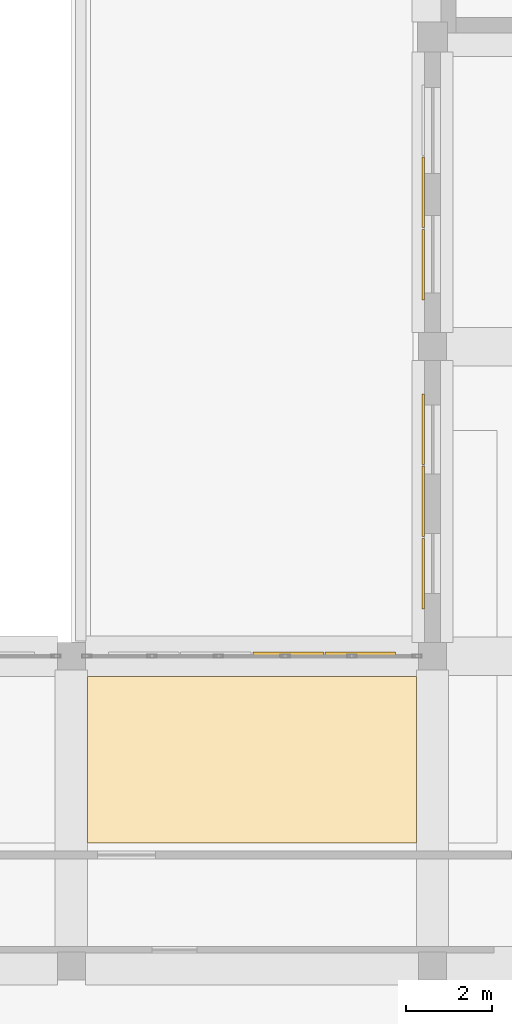
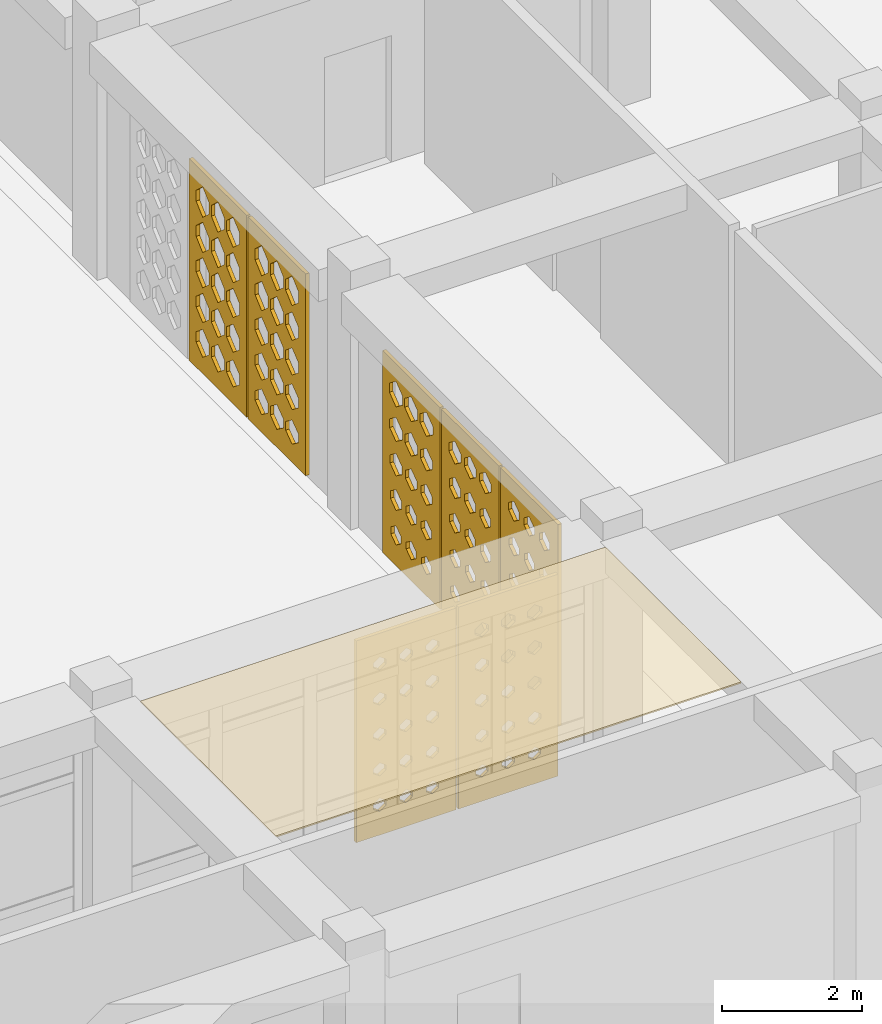
# One storey, part 61 of 79: 8 coverings.
"""IFC4 building model written with IfcOpenShell, lengths in metres."""

from ifc_helpers import new_model, si_unit, derived_unit, direction, frame, origin, place, context, subcontext, project, spatial, polyline, outline, extrude, material, layer, layer_set, type_object, element, save


model = new_model("IFC4")

# Units and contexts
model_context = context("Model", 3, precision=1e-05, world=origin(), true_north=direction((0.0, 1.0)))
body_context = subcontext(model_context, "Body", "Model", "MODEL_VIEW")
ifc_project = project(units=[si_unit("LENGTHUNIT", "METRE"), si_unit("AREAUNIT", "SQUARE_METRE"), si_unit("VOLUMEUNIT", "CUBIC_METRE"), si_unit("PLANEANGLEUNIT", "RADIAN"), si_unit("MASSUNIT", "GRAM", prefix="KILO"), derived_unit("THERMALTRANSMITTANCEUNIT", [(si_unit("POWERUNIT", "WATT"), 1), (si_unit("LENGTHUNIT", "METRE"), -2), (si_unit("THERMODYNAMICTEMPERATUREUNIT", "KELVIN"), -1)])], contexts=[model_context])

# Site, building, storey
site_placement = place(None, origin())
site = spatial("IfcSite", under=ifc_project, at=site_placement, CompositionType="ELEMENT")
building_placement = place(site_placement, origin())
building = spatial("IfcBuilding", under=site, at=building_placement, Name="Veybourne Emporium", CompositionType="ELEMENT")
storey_placement = place(building_placement, frame((0.0, 0.0, 18.89990234375)))
storey = spatial("IfcBuildingStorey", under=building, at=storey_placement, Name="L04", CompositionType="ELEMENT", Elevation=18.89990234375)

# Coverings
ifc_material_1 = material(Name="Mineral Acoustic Ceiling", Category="gypsum")
ifc_layer_1 = layer(ifc_material_1, 0.02490234375)
ifc_layer_set_1 = layer_set([ifc_layer_1], Name="Mineral Acoustic Ceiling")
covering_type_1 = type_object("IfcCoveringType", Name="Ceiling_CLG-01", PredefinedType="CEILING", material=ifc_layer_set_1)
covering_1_placement = place(storey_placement, frame((0.0, 0.0, 4.155029296875)))
element("IfcCovering", 1, at=covering_1_placement, inside=storey, type_object=covering_type_1, Name="L04 coffered acoustic ceiling 05", PredefinedType="CEILING", context=body_context, shape_type="SweptSolid", body=[
    extrude(outline(polyline([(8.77294921875, 46.06005859375), (8.77294921875, 49.927001953125), (16.427001953125, 49.927001953125), (16.427001953125, 46.06005859375), (8.77294921875, 46.06005859375)])), origin(), (0.0, 0.0, 1.0), 0.025146484375),
])
ifc_material_2 = material(Name="Warm-White Perforated Aluminium Screen Alloy", Category="aluminium")
ifc_layer_2 = layer(ifc_material_2, 0.06005859375)
ifc_layer_set_2 = layer_set([ifc_layer_2], Name="Warm-White Perforated Aluminium Screen Alloy")
covering_type_2 = type_object("IfcCoveringType", Name="WaveScreen_SCR-01", PredefinedType="CLADDING", material=ifc_layer_set_2)
covering_2_placement = place(storey_placement, frame((13.43994140625, 50.494140625, 1.815185546875), z_axis=(0.0, -1.0, 0.0), x_axis=(1.0, 0.0, 0.0)))
element("IfcCovering", 2, at=covering_2_placement, inside=storey, type_object=covering_type_2, Name="L04 wave-perforated aluminium screen SCR-01 (9C.3)", PredefinedType="CLADDING", context=body_context, shape_type="SweptSolid", body=[
    extrude(outline(polyline([(-0.81982421875, -1.7548828125), (0.81982421875, -1.7548828125), (0.81982421875, 1.7548828125), (-0.81982421875, 1.7548828125), (-0.81982421875, -1.7548828125)]), holes=[polyline([(-0.433349609375, -1.111572265625), (-0.328125, -1.18603515625), (-0.328125, -1.27001953125), (-0.433349609375, -1.344482421875), (-0.53857421875, -1.27001953125), (-0.53857421875, -1.18603515625), (-0.433349609375, -1.111572265625)]), polyline([(-0.433349609375, -0.501953125), (-0.33154296875, -0.573486328125), (-0.33154296875, -0.654296875), (-0.433349609375, -0.72607421875), (-0.534912109375, -0.654296875), (-0.534912109375, -0.573486328125), (-0.433349609375, -0.501953125)]), polyline([(-0.433349609375, 0.110107421875), (-0.333251953125, 0.03955078125), (-0.333251953125, -0.03955078125), (-0.433349609375, -0.110107421875), (-0.533447265625, -0.03955078125), (-0.533447265625, 0.03955078125), (-0.433349609375, 0.110107421875)]), polyline([(-0.433349609375, 0.724609375), (-0.3330078125, 0.65380859375), (-0.3330078125, 0.57421875), (-0.433349609375, 0.50341796875), (-0.53369140625, 0.57421875), (-0.53369140625, 0.65380859375), (-0.433349609375, 0.724609375)]), polyline([(-0.433349609375, 1.34130859375), (-0.33056640625, 1.268798828125), (-0.33056640625, 1.187255859375), (-0.433349609375, 1.114501953125), (-0.5361328125, 1.187255859375), (-0.5361328125, 1.268798828125), (-0.433349609375, 1.34130859375)]), polyline([(0.0, -1.11376953125), (0.103515625, -1.18701171875), (0.103515625, -1.26904296875), (0.0, -1.34228515625), (-0.103515625, -1.26904296875), (-0.103515625, -1.18701171875), (0.0, -1.11376953125)]), polyline([(0.0, -0.503173828125), (0.1005859375, -0.57421875), (0.1005859375, -0.65380859375), (0.0, -0.724853515625), (-0.1005859375, -0.65380859375), (-0.1005859375, -0.57421875), (0.0, -0.503173828125)]), polyline([(0.0, 0.110107421875), (0.10009765625, 0.03955078125), (0.10009765625, -0.03955078125), (0.0, -0.110107421875), (-0.10009765625, -0.03955078125), (-0.10009765625, 0.03955078125), (0.0, 0.110107421875)]), polyline([(0.0, 0.7255859375), (0.101318359375, 0.654296875), (0.101318359375, 0.57373046875), (0.0, 0.50244140625), (-0.101318359375, 0.57373046875), (-0.101318359375, 0.654296875), (0.0, 0.7255859375)]), polyline([(0.0, 1.343505859375), (0.1044921875, 1.26953125), (0.1044921875, 1.186279296875), (0.0, 1.112548828125), (-0.1044921875, 1.186279296875), (-0.1044921875, 1.26953125), (0.0, 1.343505859375)]), polyline([(0.433349609375, -1.115478515625), (0.535400390625, -1.1875), (0.535400390625, -1.2685546875), (0.433349609375, -1.34033203125), (0.331298828125, -1.2685546875), (0.331298828125, -1.1875), (0.433349609375, -1.115478515625)]), polyline([(0.433349609375, -0.50390625), (0.533447265625, -0.57421875), (0.533447265625, -0.65380859375), (0.433349609375, -0.72412109375), (0.333251953125, -0.65380859375), (0.333251953125, -0.57421875), (0.433349609375, -0.50390625)]), polyline([(0.433349609375, 0.1103515625), (0.53369140625, 0.039794921875), (0.53369140625, -0.039794921875), (0.433349609375, -0.1103515625), (0.3330078125, -0.039794921875), (0.3330078125, 0.039794921875), (0.433349609375, 0.1103515625)]), polyline([(0.433349609375, 0.72705078125), (0.535888671875, 0.65478515625), (0.535888671875, 0.5732421875), (0.433349609375, 0.5009765625), (0.330810546875, 0.5732421875), (0.330810546875, 0.65478515625), (0.433349609375, 0.72705078125)]), polyline([(0.433349609375, 1.34619140625), (0.539794921875, 1.2705078125), (0.539794921875, 1.185546875), (0.433349609375, 1.10986328125), (0.32666015625, 1.185546875), (0.32666015625, 1.2705078125), (0.433349609375, 1.34619140625)])]), origin(), (0.0, 0.0, 1.0), 0.06005859375),
])
covering_3_placement = place(storey_placement, frame((16.552001953125, 55.679931640625, 1.815185546875), z_axis=(1.0, 0.0, 0.0), x_axis=(0.0, 1.0, 0.0)))
element("IfcCovering", 3, at=covering_3_placement, inside=storey, type_object=covering_type_2, Name="L04 wave-perforated aluminium screen SCR-01 (13.3)", PredefinedType="CLADDING", context=body_context, shape_type="SweptSolid", body=[
    extrude(outline(polyline([(-0.81982421875, -1.7548828125), (0.81982421875, -1.7548828125), (0.81982421875, 1.7548828125), (-0.81982421875, 1.7548828125), (-0.81982421875, -1.7548828125)]), holes=[polyline([(-0.433349609375, -1.072509765625), (-0.2958984375, -1.172119140625), (-0.2958984375, -1.283935546875), (-0.433349609375, -1.383544921875), (-0.570556640625, -1.283935546875), (-0.570556640625, -1.172119140625), (-0.433349609375, -1.072509765625)]), polyline([(-0.433349609375, -0.4453125), (-0.285400390625, -0.55322265625), (-0.285400390625, -0.6748046875), (-0.433349609375, -0.78271484375), (-0.581298828125, -0.6748046875), (-0.581298828125, -0.55322265625), (-0.433349609375, -0.4453125)]), polyline([(-0.433349609375, 0.1826171875), (-0.27392578125, 0.065673828125), (-0.27392578125, -0.065673828125), (-0.433349609375, -0.1826171875), (-0.5927734375, -0.065673828125), (-0.5927734375, 0.065673828125), (-0.433349609375, 0.1826171875)]), polyline([(-0.433349609375, 0.810791015625), (-0.26220703125, 0.684814453125), (-0.26220703125, 0.543212890625), (-0.433349609375, 0.417236328125), (-0.604248046875, 0.543212890625), (-0.604248046875, 0.684814453125), (-0.433349609375, 0.810791015625)]), polyline([(-0.433349609375, 1.438720703125), (-0.2509765625, 1.303955078125), (-0.2509765625, 1.152099609375), (-0.433349609375, 1.01708984375), (-0.61572265625, 1.152099609375), (-0.61572265625, 1.303955078125), (-0.433349609375, 1.438720703125)]), polyline([(0.0, -1.066650390625), (0.14208984375, -1.169921875), (0.14208984375, -1.2861328125), (0.0, -1.389404296875), (-0.14208984375, -1.2861328125), (-0.14208984375, -1.169921875), (0.0, -1.066650390625)]), polyline([(0.0, -0.43896484375), (0.1533203125, -0.551025390625), (0.1533203125, -0.677001953125), (0.0, -0.7890625), (-0.1533203125, -0.677001953125), (-0.1533203125, -0.551025390625), (0.0, -0.43896484375)]), polyline([(0.0, 0.18896484375), (0.164794921875, 0.068115234375), (0.164794921875, -0.068115234375), (0.0, -0.18896484375), (-0.164794921875, -0.068115234375), (-0.164794921875, 0.068115234375), (0.0, 0.18896484375)]), polyline([(0.0, 0.817138671875), (0.17626953125, 0.68701171875), (0.17626953125, 0.541015625), (0.0, 0.410888671875), (-0.17626953125, 0.541015625), (-0.17626953125, 0.68701171875), (0.0, 0.817138671875)]), polyline([(0.0, 1.445068359375), (0.186279296875, 1.30615234375), (0.186279296875, 1.14990234375), (0.0, 1.010986328125), (-0.186279296875, 1.14990234375), (-0.186279296875, 1.30615234375), (0.0, 1.445068359375)]), polyline([(0.433349609375, -1.060546875), (0.580322265625, -1.167724609375), (0.580322265625, -1.288330078125), (0.433349609375, -1.3955078125), (0.286376953125, -1.288330078125), (0.286376953125, -1.167724609375), (0.433349609375, -1.060546875)]), polyline([(0.433349609375, -0.4326171875), (0.591796875, -0.548583984375), (0.591796875, -0.67919921875), (0.433349609375, -0.79541015625), (0.27490234375, -0.67919921875), (0.27490234375, -0.548583984375), (0.433349609375, -0.4326171875)]), polyline([(0.433349609375, 0.195556640625), (0.603271484375, 0.0703125), (0.603271484375, -0.0703125), (0.433349609375, -0.195556640625), (0.263427734375, -0.0703125), (0.263427734375, 0.0703125), (0.433349609375, 0.195556640625)]), polyline([(0.433349609375, 0.823486328125), (0.61474609375, 0.689453125), (0.61474609375, 0.53857421875), (0.433349609375, 0.404541015625), (0.251953125, 0.53857421875), (0.251953125, 0.689453125), (0.433349609375, 0.823486328125)]), polyline([(0.433349609375, 1.451171875), (0.61962890625, 1.308349609375), (0.61962890625, 1.147705078125), (0.433349609375, 1.0048828125), (0.2470703125, 1.147705078125), (0.2470703125, 1.308349609375), (0.433349609375, 1.451171875)])]), origin(), (0.0, 0.0, 1.0), 0.06005859375),
])
covering_4_placement = place(storey_placement, frame((16.552001953125, 61.1875, 1.815185546875), z_axis=(1.0, 0.0, 0.0), x_axis=(0.0, 1.0, 0.0)))
element("IfcCovering", 4, at=covering_4_placement, inside=storey, type_object=covering_type_2, Name="L04 wave-perforated aluminium screen SCR-01 (14.2)", PredefinedType="CLADDING", context=body_context, shape_type="SweptSolid", body=[
    extrude(outline(polyline([(-0.81982421875, -1.7548828125), (0.81982421875, -1.7548828125), (0.81982421875, 1.7548828125), (-0.81982421875, 1.7548828125), (-0.81982421875, -1.7548828125)]), holes=[polyline([(-0.433349609375, -0.993896484375), (-0.2470703125, -1.143798828125), (-0.2470703125, -1.312255859375), (-0.433349609375, -1.4619140625), (-0.61962890625, -1.312255859375), (-0.61962890625, -1.143798828125), (-0.433349609375, -0.993896484375)]), polyline([(-0.433349609375, -0.368408203125), (-0.2470703125, -0.525634765625), (-0.2470703125, -0.702392578125), (-0.433349609375, -0.859619140625), (-0.61962890625, -0.702392578125), (-0.61962890625, -0.525634765625), (-0.433349609375, -0.368408203125)]), polyline([(-0.433349609375, 0.255615234375), (-0.2470703125, 0.092041015625), (-0.2470703125, -0.092041015625), (-0.433349609375, -0.255615234375), (-0.61962890625, -0.092041015625), (-0.61962890625, 0.092041015625), (-0.433349609375, 0.255615234375)]), polyline([(-0.433349609375, 0.877685546875), (-0.2470703125, 0.708984375), (-0.2470703125, 0.51904296875), (-0.433349609375, 0.35009765625), (-0.61962890625, 0.51904296875), (-0.61962890625, 0.708984375), (-0.433349609375, 0.877685546875)]), polyline([(-0.433349609375, 1.491943359375), (-0.2470703125, 1.322998046875), (-0.2470703125, 1.133056640625), (-0.433349609375, 0.964111328125), (-0.61962890625, 1.133056640625), (-0.61962890625, 1.322998046875), (-0.433349609375, 1.491943359375)]), polyline([(0.0, -0.988525390625), (0.186279296875, -1.141845703125), (0.186279296875, -1.314208984375), (0.0, -1.46728515625), (-0.186279296875, -1.314208984375), (-0.186279296875, -1.141845703125), (0.0, -0.988525390625)]), polyline([(0.0, -0.363525390625), (0.186279296875, -0.52392578125), (0.186279296875, -0.7041015625), (0.0, -0.864501953125), (-0.186279296875, -0.7041015625), (-0.186279296875, -0.52392578125), (0.0, -0.363525390625)]), polyline([(0.0, 0.259521484375), (0.186279296875, 0.093505859375), (0.186279296875, -0.093505859375), (0.0, -0.259521484375), (-0.186279296875, -0.093505859375), (-0.186279296875, 0.093505859375), (0.0, 0.259521484375)]), polyline([(0.0, 0.8779296875), (0.186279296875, 0.708984375), (0.186279296875, 0.51904296875), (0.0, 0.35009765625), (-0.186279296875, 0.51904296875), (-0.186279296875, 0.708984375), (0.0, 0.8779296875)]), polyline([(0.0, 1.491943359375), (0.186279296875, 1.322998046875), (0.186279296875, 1.133056640625), (0.0, 0.964111328125), (-0.186279296875, 1.133056640625), (-0.186279296875, 1.322998046875), (0.0, 1.491943359375)]), polyline([(0.433349609375, -0.9833984375), (0.61962890625, -1.139892578125), (0.61962890625, -1.316162109375), (0.433349609375, -1.47265625), (0.2470703125, -1.316162109375), (0.2470703125, -1.139892578125), (0.433349609375, -0.9833984375)]), polyline([(0.433349609375, -0.359130859375), (0.61962890625, -0.522216796875), (0.61962890625, -0.705810546875), (0.433349609375, -0.868896484375), (0.2470703125, -0.705810546875), (0.2470703125, -0.522216796875), (0.433349609375, -0.359130859375)]), polyline([(0.433349609375, 0.26318359375), (0.61962890625, 0.0947265625), (0.61962890625, -0.0947265625), (0.433349609375, -0.26318359375), (0.2470703125, -0.0947265625), (0.2470703125, 0.0947265625), (0.433349609375, 0.26318359375)]), polyline([(0.433349609375, 0.8779296875), (0.61962890625, 0.708984375), (0.61962890625, 0.51904296875), (0.433349609375, 0.35009765625), (0.2470703125, 0.51904296875), (0.2470703125, 0.708984375), (0.433349609375, 0.8779296875)]), polyline([(0.433349609375, 1.491943359375), (0.61962890625, 1.322998046875), (0.61962890625, 1.133056640625), (0.433349609375, 0.964111328125), (0.2470703125, 1.133056640625), (0.2470703125, 1.322998046875), (0.433349609375, 1.491943359375)])]), origin(), (0.0, 0.0, 1.0), 0.06005859375),
])
ifc_layer_3 = layer(ifc_material_2, 0.06005859375)
ifc_layer_set_3 = layer_set([ifc_layer_3], Name="Warm-White Perforated Aluminium Screen Alloy")
covering_type_3 = type_object("IfcCoveringType", Name="WaveScreen_SCR-02", PredefinedType="CLADDING", material=ifc_layer_set_3)
covering_5_placement = place(storey_placement, frame((15.1201171875, 50.494140625, 1.815185546875), z_axis=(0.0, -1.0, 0.0), x_axis=(1.0, 0.0, 0.0)))
element("IfcCovering", 5, at=covering_5_placement, inside=storey, type_object=covering_type_3, Name="L04 wave-perforated aluminium screen SCR-02 (9C.4)", PredefinedType="CLADDING", context=body_context, shape_type="SweptSolid", body=[
    extrude(outline(polyline([(-0.81982421875, -1.7548828125), (0.81982421875, -1.7548828125), (0.81982421875, 1.7548828125), (-0.81982421875, 1.7548828125), (-0.81982421875, -1.7548828125)]), holes=[polyline([(-0.433349609375, -1.11767578125), (-0.3330078125, -1.188232421875), (-0.3330078125, -1.267578125), (-0.433349609375, -1.33837890625), (-0.53369140625, -1.267578125), (-0.53369140625, -1.188232421875), (-0.433349609375, -1.11767578125)]), polyline([(-0.433349609375, -0.50390625), (-0.3330078125, -0.57421875), (-0.3330078125, -0.65380859375), (-0.433349609375, -0.72412109375), (-0.533447265625, -0.65380859375), (-0.533447265625, -0.57421875), (-0.433349609375, -0.50390625)]), polyline([(-0.433349609375, 0.112548828125), (-0.331298828125, 0.04052734375), (-0.331298828125, -0.04052734375), (-0.433349609375, -0.112548828125), (-0.535400390625, -0.04052734375), (-0.535400390625, 0.04052734375), (-0.433349609375, 0.112548828125)]), polyline([(-0.433349609375, 0.731201171875), (-0.327392578125, 0.65625), (-0.327392578125, 0.57177734375), (-0.433349609375, 0.496826171875), (-0.539306640625, 0.57177734375), (-0.539306640625, 0.65625), (-0.433349609375, 0.731201171875)]), polyline([(-0.433349609375, 1.35205078125), (-0.32177734375, 1.272705078125), (-0.32177734375, 1.183349609375), (-0.433349609375, 1.10400390625), (-0.544921875, 1.183349609375), (-0.544921875, 1.272705078125), (-0.433349609375, 1.35205078125)]), polyline([(0.0, -1.117919921875), (0.10009765625, -1.1884765625), (0.10009765625, -1.267578125), (0.0, -1.337890625), (-0.10009765625, -1.267578125), (-0.10009765625, -1.1884765625), (0.0, -1.117919921875)]), polyline([(0.0, -0.5029296875), (0.100830078125, -0.573974609375), (0.100830078125, -0.654052734375), (0.0, -0.72509765625), (-0.100830078125, -0.654052734375), (-0.100830078125, -0.573974609375), (0.0, -0.5029296875)]), polyline([(0.0, 0.114501953125), (0.103515625, 0.041259765625), (0.103515625, -0.041259765625), (0.0, -0.114501953125), (-0.103515625, -0.041259765625), (-0.103515625, 0.041259765625), (0.0, 0.114501953125)]), polyline([(0.0, 0.73388671875), (0.108154296875, 0.6572265625), (0.108154296875, 0.57080078125), (0.0, 0.493896484375), (-0.108154296875, 0.57080078125), (-0.108154296875, 0.6572265625), (0.0, 0.73388671875)]), polyline([(0.0, 1.35595703125), (0.114501953125, 1.27392578125), (0.114501953125, 1.181884765625), (0.0, 1.10009765625), (-0.114501953125, 1.181884765625), (-0.114501953125, 1.27392578125), (0.0, 1.35595703125)]), polyline([(0.433349609375, -1.117919921875), (0.533447265625, -1.188232421875), (0.533447265625, -1.267578125), (0.433349609375, -1.338134765625), (0.333251953125, -1.267578125), (0.333251953125, -1.188232421875), (0.433349609375, -1.117919921875)]), polyline([(0.433349609375, -0.501708984375), (0.53515625, -0.573486328125), (0.53515625, -0.654296875), (0.433349609375, -0.726318359375), (0.33154296875, -0.654296875), (0.33154296875, -0.573486328125), (0.433349609375, -0.501708984375)]), polyline([(0.433349609375, 0.11669921875), (0.538818359375, 0.0419921875), (0.538818359375, -0.0419921875), (0.433349609375, -0.11669921875), (0.327880859375, -0.0419921875), (0.327880859375, 0.0419921875), (0.433349609375, 0.11669921875)]), polyline([(0.433349609375, 0.7373046875), (0.544189453125, 0.658447265625), (0.544189453125, 0.569580078125), (0.433349609375, 0.49072265625), (0.322509765625, 0.569580078125), (0.322509765625, 0.658447265625), (0.433349609375, 0.7373046875)]), polyline([(0.433349609375, 1.360107421875), (0.551513671875, 1.275390625), (0.551513671875, 1.180419921875), (0.433349609375, 1.095947265625), (0.315185546875, 1.180419921875), (0.315185546875, 1.275390625), (0.433349609375, 1.360107421875)])]), origin(), (0.0, 0.0, 1.0), 0.06005859375),
])
ifc_layer_4 = layer(ifc_material_2, 0.06005859375)
ifc_layer_set_4 = layer_set([ifc_layer_4], Name="Warm-White Perforated Aluminium Screen Alloy")
covering_type_4 = type_object("IfcCoveringType", Name="WaveScreen_SCR-03", PredefinedType="CLADDING", material=ifc_layer_set_4)
covering_6_placement = place(storey_placement, frame((16.552001953125, 52.320068359375, 1.815185546875), z_axis=(1.0, 0.0, 0.0), x_axis=(0.0, 1.0, 0.0)))
element("IfcCovering", 6, at=covering_6_placement, inside=storey, type_object=covering_type_4, Name="L04 wave-perforated aluminium screen SCR-03 (13.1)", PredefinedType="CLADDING", context=body_context, shape_type="SweptSolid", body=[
    extrude(outline(polyline([(-0.81982421875, -1.7548828125), (0.81982421875, -1.7548828125), (0.81982421875, 1.7548828125), (-0.81982421875, 1.7548828125), (-0.81982421875, -1.7548828125)]), holes=[polyline([(-0.433349609375, -1.10791015625), (-0.324951171875, -1.184814453125), (-0.324951171875, -1.271240234375), (-0.433349609375, -1.34814453125), (-0.541748046875, -1.271240234375), (-0.541748046875, -1.184814453125), (-0.433349609375, -1.10791015625)]), polyline([(-0.433349609375, -0.486083984375), (-0.318603515625, -0.56787109375), (-0.318603515625, -0.66015625), (-0.433349609375, -0.741943359375), (-0.548095703125, -0.66015625), (-0.548095703125, -0.56787109375), (-0.433349609375, -0.486083984375)]), polyline([(-0.433349609375, 0.1376953125), (-0.310546875, 0.049560546875), (-0.310546875, -0.049560546875), (-0.433349609375, -0.1376953125), (-0.55615234375, -0.049560546875), (-0.55615234375, 0.049560546875), (-0.433349609375, 0.1376953125)]), polyline([(-0.433349609375, 0.76318359375), (-0.30126953125, 0.667724609375), (-0.30126953125, 0.560302734375), (-0.433349609375, 0.46484375), (-0.5654296875, 0.560302734375), (-0.5654296875, 0.667724609375), (-0.433349609375, 0.76318359375)]), polyline([(-0.433349609375, 1.389892578125), (-0.291015625, 1.286376953125), (-0.291015625, 1.169677734375), (-0.433349609375, 1.066162109375), (-0.57568359375, 1.169677734375), (-0.57568359375, 1.286376953125), (-0.433349609375, 1.389892578125)]), polyline([(0.0, -1.1044921875), (0.111083984375, -1.18359375), (0.111083984375, -1.2724609375), (0.0, -1.3515625), (-0.111083984375, -1.2724609375), (-0.111083984375, -1.18359375), (0.0, -1.1044921875)]), polyline([(0.0, -0.481689453125), (0.1181640625, -0.56640625), (0.1181640625, -0.66162109375), (0.0, -0.74609375), (-0.1181640625, -0.66162109375), (-0.1181640625, -0.56640625), (0.0, -0.481689453125)]), polyline([(0.0, 0.142822265625), (0.126708984375, 0.051513671875), (0.126708984375, -0.051513671875), (0.0, -0.142822265625), (-0.126708984375, -0.051513671875), (-0.126708984375, 0.051513671875), (0.0, 0.142822265625)]), polyline([(0.0, 0.768798828125), (0.13671875, 0.669677734375), (0.13671875, 0.558349609375), (0.0, 0.459228515625), (-0.13671875, 0.558349609375), (-0.13671875, 0.669677734375), (0.0, 0.768798828125)]), polyline([(0.0, 1.39599609375), (0.147216796875, 1.288330078125), (0.147216796875, 1.16748046875), (0.0, 1.06005859375), (-0.147216796875, 1.16748046875), (-0.147216796875, 1.288330078125), (0.0, 1.39599609375)]), polyline([(0.433349609375, -1.100830078125), (0.54736328125, -1.18212890625), (0.54736328125, -1.273681640625), (0.433349609375, -1.355224609375), (0.319091796875, -1.273681640625), (0.319091796875, -1.18212890625), (0.433349609375, -1.100830078125)]), polyline([(0.433349609375, -0.477294921875), (0.555419921875, -0.564697265625), (0.555419921875, -0.663330078125), (0.433349609375, -0.750732421875), (0.311279296875, -0.663330078125), (0.311279296875, -0.564697265625), (0.433349609375, -0.477294921875)]), polyline([(0.433349609375, 0.148193359375), (0.564453125, 0.05322265625), (0.564453125, -0.05322265625), (0.433349609375, -0.148193359375), (0.30224609375, -0.05322265625), (0.30224609375, 0.05322265625), (0.433349609375, 0.148193359375)]), polyline([(0.433349609375, 0.774658203125), (0.57470703125, 0.671875), (0.57470703125, 0.55615234375), (0.433349609375, 0.453369140625), (0.2919921875, 0.55615234375), (0.2919921875, 0.671875), (0.433349609375, 0.774658203125)]), polyline([(0.433349609375, 1.402099609375), (0.585693359375, 1.290771484375), (0.585693359375, 1.165283203125), (0.433349609375, 1.053955078125), (0.281005859375, 1.165283203125), (0.281005859375, 1.290771484375), (0.433349609375, 1.402099609375)])]), origin(), (0.0, 0.0, 1.0), 0.06005859375),
])
ifc_layer_5 = layer(ifc_material_2, 0.06005859375)
ifc_layer_set_5 = layer_set([ifc_layer_5], Name="Warm-White Perforated Aluminium Screen Alloy")
covering_type_5 = type_object("IfcCoveringType", Name="WaveScreen_SCR-04", PredefinedType="CLADDING", material=ifc_layer_set_5)
covering_7_placement = place(storey_placement, frame((16.552001953125, 54.0, 1.815185546875), z_axis=(1.0, 0.0, 0.0), x_axis=(0.0, 1.0, 0.0)))
element("IfcCovering", 7, at=covering_7_placement, inside=storey, type_object=covering_type_5, Name="L04 wave-perforated aluminium screen SCR-04 (13.2)", PredefinedType="CLADDING", context=body_context, shape_type="SweptSolid", body=[
    extrude(outline(polyline([(-0.81982421875, -1.7548828125), (0.81982421875, -1.7548828125), (0.81982421875, 1.7548828125), (-0.81982421875, 1.7548828125), (-0.81982421875, -1.7548828125)]), holes=[polyline([(-0.433349609375, -1.0927734375), (-0.3125, -1.17919921875), (-0.3125, -1.276611328125), (-0.433349609375, -1.36328125), (-0.553955078125, -1.276611328125), (-0.553955078125, -1.17919921875), (-0.433349609375, -1.0927734375)]), polyline([(-0.433349609375, -0.4677734375), (-0.3037109375, -0.561279296875), (-0.3037109375, -0.666748046875), (-0.433349609375, -0.76025390625), (-0.56298828125, -0.666748046875), (-0.56298828125, -0.561279296875), (-0.433349609375, -0.4677734375)]), polyline([(-0.433349609375, 0.15869140625), (-0.29345703125, 0.05712890625), (-0.29345703125, -0.05712890625), (-0.433349609375, -0.15869140625), (-0.572998046875, -0.05712890625), (-0.572998046875, 0.05712890625), (-0.433349609375, 0.15869140625)]), polyline([(-0.433349609375, 0.785888671875), (-0.28271484375, 0.67578125), (-0.28271484375, 0.552001953125), (-0.433349609375, 0.44189453125), (-0.583984375, 0.552001953125), (-0.583984375, 0.67578125), (-0.433349609375, 0.785888671875)]), polyline([(-0.433349609375, 1.4140625), (-0.27099609375, 1.294921875), (-0.27099609375, 1.160888671875), (-0.433349609375, 1.0419921875), (-0.595458984375, 1.160888671875), (-0.595458984375, 1.294921875), (-0.433349609375, 1.4140625)]), polyline([(0.0, -1.087890625), (0.12451171875, -1.177490234375), (0.12451171875, -1.2783203125), (0.0, -1.3681640625), (-0.12451171875, -1.2783203125), (-0.12451171875, -1.177490234375), (0.0, -1.087890625)]), polyline([(0.0, -0.462158203125), (0.13427734375, -0.559326171875), (0.13427734375, -0.668701171875), (0.0, -0.765869140625), (-0.13427734375, -0.668701171875), (-0.13427734375, -0.559326171875), (0.0, -0.462158203125)]), polyline([(0.0, 0.16455078125), (0.144775390625, 0.059326171875), (0.144775390625, -0.059326171875), (0.0, -0.16455078125), (-0.144775390625, -0.059326171875), (-0.144775390625, 0.059326171875), (0.0, 0.16455078125)]), polyline([(0.0, 0.792236328125), (0.156005859375, 0.67822265625), (0.156005859375, 0.5498046875), (0.0, 0.435791015625), (-0.156005859375, 0.5498046875), (-0.156005859375, 0.67822265625), (0.0, 0.792236328125)]), polyline([(0.0, 1.42041015625), (0.16748046875, 1.29736328125), (0.16748046875, 1.15869140625), (0.0, 1.03564453125), (-0.16748046875, 1.15869140625), (-0.16748046875, 1.29736328125), (0.0, 1.42041015625)]), polyline([(0.433349609375, -1.082763671875), (0.56201171875, -1.17578125), (0.56201171875, -1.2802734375), (0.433349609375, -1.373291015625), (0.304443359375, -1.2802734375), (0.304443359375, -1.17578125), (0.433349609375, -1.082763671875)]), polyline([(0.433349609375, -0.45654296875), (0.572265625, -0.557373046875), (0.572265625, -0.670654296875), (0.433349609375, -0.771484375), (0.29443359375, -0.670654296875), (0.29443359375, -0.557373046875), (0.433349609375, -0.45654296875)]), polyline([(0.433349609375, 0.1708984375), (0.5830078125, 0.0615234375), (0.5830078125, -0.0615234375), (0.433349609375, -0.1708984375), (0.28369140625, -0.0615234375), (0.28369140625, 0.0615234375), (0.433349609375, 0.1708984375)]), polyline([(0.433349609375, 0.798583984375), (0.594482421875, 0.680419921875), (0.594482421875, 0.547607421875), (0.433349609375, 0.42919921875), (0.272216796875, 0.547607421875), (0.272216796875, 0.680419921875), (0.433349609375, 0.798583984375)]), polyline([(0.433349609375, 1.427001953125), (0.60595703125, 1.299560546875), (0.60595703125, 1.156494140625), (0.433349609375, 1.029052734375), (0.260498046875, 1.156494140625), (0.260498046875, 1.299560546875), (0.433349609375, 1.427001953125)])]), origin(), (0.0, 0.0, 1.0), 0.06005859375),
])
covering_8_placement = place(storey_placement, frame((16.552001953125, 59.507568359375, 1.815185546875), z_axis=(1.0, 0.0, 0.0), x_axis=(0.0, 1.0, 0.0)))
element("IfcCovering", 8, at=covering_8_placement, inside=storey, type_object=covering_type_5, Name="L04 wave-perforated aluminium screen SCR-04 (14.1)", PredefinedType="CLADDING", context=body_context, shape_type="SweptSolid", body=[
    extrude(outline(polyline([(-0.81982421875, -1.7548828125), (0.81982421875, -1.7548828125), (0.81982421875, 1.7548828125), (-0.81982421875, 1.7548828125), (-0.81982421875, -1.7548828125)]), holes=[polyline([(-0.433349609375, -1.01708984375), (-0.250732421875, -1.152099609375), (-0.250732421875, -1.303955078125), (-0.433349609375, -1.43896484375), (-0.615966796875, -1.303955078125), (-0.615966796875, -1.152099609375), (-0.433349609375, -1.01708984375)]), polyline([(-0.433349609375, -0.3896484375), (-0.2470703125, -0.533203125), (-0.2470703125, -0.69482421875), (-0.433349609375, -0.83837890625), (-0.61962890625, -0.69482421875), (-0.61962890625, -0.533203125), (-0.433349609375, -0.3896484375)]), polyline([(-0.433349609375, 0.23681640625), (-0.2470703125, 0.085205078125), (-0.2470703125, -0.085205078125), (-0.433349609375, -0.23681640625), (-0.61962890625, -0.085205078125), (-0.61962890625, 0.085205078125), (-0.433349609375, 0.23681640625)]), polyline([(-0.433349609375, 0.8623046875), (-0.2470703125, 0.703369140625), (-0.2470703125, 0.524658203125), (-0.433349609375, 0.36572265625), (-0.61962890625, 0.524658203125), (-0.61962890625, 0.703369140625), (-0.433349609375, 0.8623046875)]), polyline([(-0.433349609375, 1.48583984375), (-0.2470703125, 1.32080078125), (-0.2470703125, 1.13525390625), (-0.433349609375, 0.97021484375), (-0.61962890625, 1.13525390625), (-0.61962890625, 1.32080078125), (-0.433349609375, 1.48583984375)]), polyline([(0.0, -1.010986328125), (0.186279296875, -1.14990234375), (0.186279296875, -1.30615234375), (0.0, -1.445068359375), (-0.186279296875, -1.30615234375), (-0.186279296875, -1.14990234375), (0.0, -1.010986328125)]), polyline([(0.0, -0.3837890625), (0.186279296875, -0.531005859375), (0.186279296875, -0.697021484375), (0.0, -0.84423828125), (-0.186279296875, -0.697021484375), (-0.186279296875, -0.531005859375), (0.0, -0.3837890625)]), polyline([(0.0, 0.2421875), (0.186279296875, 0.087158203125), (0.186279296875, -0.087158203125), (0.0, -0.2421875), (-0.186279296875, -0.087158203125), (-0.186279296875, 0.087158203125), (0.0, 0.2421875)]), polyline([(0.0, 0.86669921875), (0.186279296875, 0.705078125), (0.186279296875, 0.52294921875), (0.0, 0.361328125), (-0.186279296875, 0.52294921875), (-0.186279296875, 0.705078125), (0.0, 0.86669921875)]), polyline([(0.0, 1.489501953125), (0.186279296875, 1.322021484375), (0.186279296875, 1.1337890625), (0.0, 0.966552734375), (-0.186279296875, 1.1337890625), (-0.186279296875, 1.322021484375), (0.0, 1.489501953125)]), polyline([(0.433349609375, -1.0048828125), (0.61962890625, -1.147705078125), (0.61962890625, -1.308349609375), (0.433349609375, -1.451171875), (0.2470703125, -1.308349609375), (0.2470703125, -1.147705078125), (0.433349609375, -1.0048828125)]), polyline([(0.433349609375, -0.378173828125), (0.61962890625, -0.529052734375), (0.61962890625, -0.698974609375), (0.433349609375, -0.849853515625), (0.2470703125, -0.698974609375), (0.2470703125, -0.529052734375), (0.433349609375, -0.378173828125)]), polyline([(0.433349609375, 0.247314453125), (0.61962890625, 0.089111328125), (0.61962890625, -0.089111328125), (0.433349609375, -0.247314453125), (0.2470703125, -0.089111328125), (0.2470703125, 0.089111328125), (0.433349609375, 0.247314453125)]), polyline([(0.433349609375, 0.87109375), (0.61962890625, 0.70654296875), (0.61962890625, 0.521484375), (0.433349609375, 0.35693359375), (0.2470703125, 0.521484375), (0.2470703125, 0.70654296875), (0.433349609375, 0.87109375)]), polyline([(0.433349609375, 1.491943359375), (0.61962890625, 1.322998046875), (0.61962890625, 1.133056640625), (0.433349609375, 0.964111328125), (0.2470703125, 1.133056640625), (0.2470703125, 1.322998046875), (0.433349609375, 1.491943359375)])]), origin(), (0.0, 0.0, 1.0), 0.06005859375),
])

save(model, "model.ifc")
